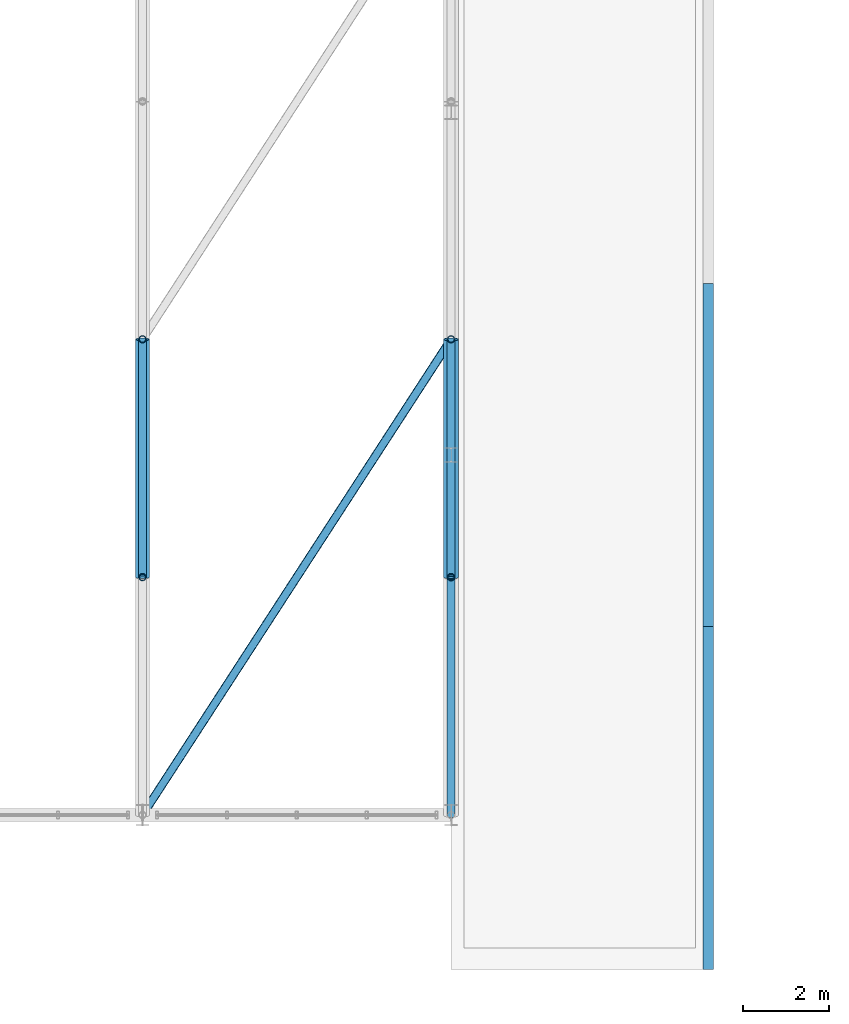
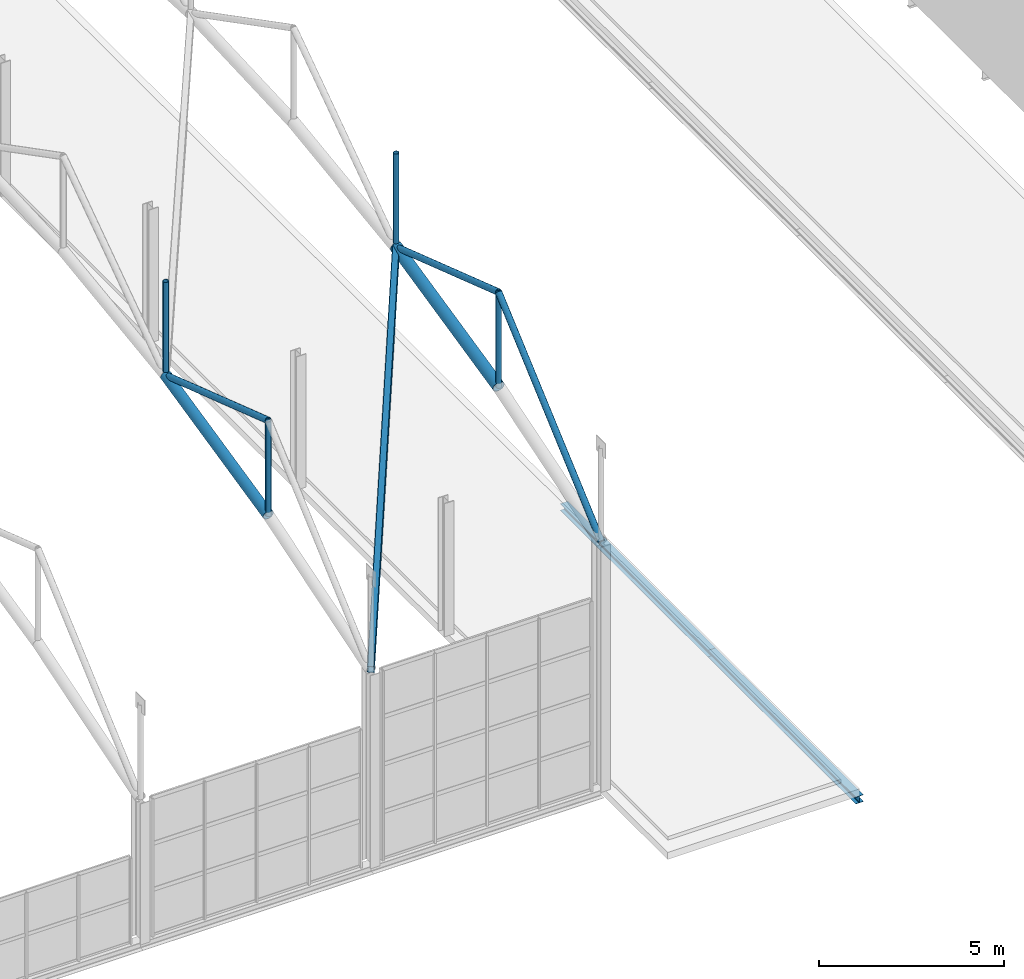
# One storey, part 61 of 153: 10 members, 2 beams.
"""IFC4 building model written with IfcOpenShell, lengths in metres."""

from ifc_helpers import new_model, si_unit, derived_unit, direction, frame, origin, origin_2d, place, context, subcontext, project, spatial, hollow_rectangle, hollow_circle, i_section, extrude, material, material_profile, profile_set, type_object, element, save


model = new_model("IFC4")

# Units and contexts
model_context = context("Model", 3, precision=1e-05, world=origin(), true_north=direction((0.0, 1.0)))
body_context = subcontext(model_context, "Body", "Model", "MODEL_VIEW")
ifc_project = project(units=[si_unit("LENGTHUNIT", "METRE"), si_unit("AREAUNIT", "SQUARE_METRE"), si_unit("VOLUMEUNIT", "CUBIC_METRE"), si_unit("PLANEANGLEUNIT", "RADIAN"), si_unit("MASSUNIT", "GRAM", prefix="KILO"), derived_unit("THERMALTRANSMITTANCEUNIT", [(si_unit("POWERUNIT", "WATT"), 1), (si_unit("LENGTHUNIT", "METRE"), -2), (si_unit("THERMODYNAMICTEMPERATUREUNIT", "KELVIN"), -1)])], contexts=[model_context])

# Site, building, storey
site_placement = place(None, origin())
site = spatial("IfcSite", under=ifc_project, at=site_placement, CompositionType="ELEMENT")
building_placement = place(site_placement, origin())
building = spatial("IfcBuilding", under=site, at=building_placement, Name="Keldorne Ridge Multi-Sports Centre", CompositionType="ELEMENT")
storey_placement = place(building_placement, frame((0.0, 0.0, 9.60009765625)))
storey = spatial("IfcBuildingStorey", under=building, at=storey_placement, Name="L02", CompositionType="ELEMENT", Elevation=9.60009765625)

# Beams
ifc_material = material(Name="Steel S355", Category="steel")
ifc_material_profile_1 = material_profile(ifc_material, i_section(OverallWidth=0.239990234375, OverallDepth=0.22998046875, WebThickness=0.007568359375, FlangeThickness=0.011962890625, FilletRadius=0.02099609375, at=origin_2d()), Name="HEA 240")
ifc_profile_set_1 = profile_set([ifc_material_profile_1], Name="Steel S355")
beam_type = type_object("IfcBeamType", Name="BM-SP-05", PredefinedType="SPANDREL", material=ifc_profile_set_1)
for number, where, z_axis, x_axis, name in (
    (1, (84.0, 6.0, -0.34521484375), (0.0, 1.0, 0.0), (-1.0, 0.0, 0.0), "L02 passage roof beam G12.1"),
    (2, (84.0, 14.0, -0.34521484375), (0.0, 1.0, 0.0), (-1.0, 0.0, 0.0), "L02 passage roof beam G12.2"),
):
    element("IfcBeam", number, at=place(storey_placement, frame(where, z_axis=z_axis, x_axis=x_axis)), inside=storey, type_object=beam_type, Name=name, PredefinedType="SPANDREL", context=body_context, shape_type="SweptSolid", body=[
        extrude(i_section(OverallWidth=0.239990234375, OverallDepth=0.22998046875, WebThickness=0.007568359375, FlangeThickness=0.011962890625, FilletRadius=0.02099609375, at=origin_2d()), origin(), (0.0, 0.0, 1.0), 8.0),
    ])

# Members
ifc_material_profile_2 = material_profile(ifc_material, hollow_circle(Radius=0.177734375, WallThickness=0.01611328125, at=origin_2d()), Name="CHS 355.6x16")
ifc_profile_set_2 = profile_set([ifc_material_profile_2], Name="Steel S355")
member_type_1 = type_object("IfcMemberType", Name="MEM-TC-01", PredefinedType="CHORD", material=ifc_profile_set_2)
member_1_placement = place(storey_placement, frame((78.0, 15.14990234375, 9.849853515625), z_axis=(0.0, 0.975563092904, 0.219719484259), x_axis=(-1.0, 0.0, 0.0)))
element("IfcMember", 3, at=member_1_placement, inside=storey, type_object=member_type_1, Name="Main Hall ROOF TRUSS AT-11 bottom chord 2", PredefinedType="CHORD", context=body_context, shape_type="SweptSolid", body=[
    extrude(hollow_circle(Radius=0.177734375, WallThickness=0.01611328125, at=origin_2d()), origin(), (0.0, 0.0, 1.0), 5.68896484375),
])
ifc_material_profile_3 = material_profile(ifc_material, hollow_circle(Radius=0.161865234375, WallThickness=0.01611328125, at=origin_2d()), Name="CHS 323.9x16")
ifc_profile_set_3 = profile_set([ifc_material_profile_3], Name="Steel S355")
member_type_2 = type_object("IfcMemberType", Name="MEM-TC-02", PredefinedType="CHORD", material=ifc_profile_set_3)
member_2_placement = place(storey_placement, frame((70.800048828125, 15.14990234375, 8.1298828125), z_axis=(0.0, 0.975563092904, 0.219719484259), x_axis=(-1.0, 0.0, 0.0)))
element("IfcMember", 4, at=member_2_placement, inside=storey, type_object=member_type_2, Name="Main Hall ROOF TRUSS AT-10 bottom chord 2", PredefinedType="CHORD", context=body_context, shape_type="SweptSolid", body=[
    extrude(hollow_circle(Radius=0.161865234375, WallThickness=0.01611328125, at=origin_2d()), origin(), (0.0, 0.0, 1.0), 5.68896484375),
])
ifc_material_profile_4 = material_profile(ifc_material, hollow_circle(Radius=0.096923828125, WallThickness=0.010009765625, at=origin_2d()), Name="CHS 193.7x10")
ifc_profile_set_4 = profile_set([ifc_material_profile_4], Name="Steel S355")
member_type_3 = type_object("IfcMemberType", Name="MEM-TD-01", PredefinedType="BRACE", material=ifc_profile_set_4)
member_3_placement = place(storey_placement, frame((70.800048828125, 15.14990234375, 11.25), z_axis=(0.0, 0.94764862416, -0.319315024901), x_axis=(-1.0, 0.0, 0.0)))
element("IfcMember", 5, at=member_3_placement, inside=storey, type_object=member_type_3, Name="Main Hall ROOF TRUSS AT-10 diagonal 2", PredefinedType="BRACE", context=body_context, shape_type="SweptSolid", body=[
    extrude(hollow_circle(Radius=0.096923828125, WallThickness=0.010009765625, at=origin_2d()), origin(), (0.0, 0.0, 1.0), 5.856689453125),
])
member_4_placement = place(storey_placement, frame((78.0, 9.60009765625, 8.099853515625), z_axis=(0.0, 0.751633717976, 0.659580741078), x_axis=(-1.0, 0.0, 0.0)))
element("IfcMember", 6, at=member_4_placement, inside=storey, type_object=member_type_3, Name="Main Hall ROOF TRUSS AT-11 diagonal 1", PredefinedType="BRACE", context=body_context, shape_type="SweptSolid", body=[
    extrude(hollow_circle(Radius=0.096923828125, WallThickness=0.010009765625, at=origin_2d()), origin(), (0.0, 0.0, 1.0), 7.383544921875),
])
member_5_placement = place(storey_placement, frame((78.0, 15.14990234375, 12.969970703125), z_axis=(0.0, 0.94764862416, -0.319315024901), x_axis=(-1.0, 0.0, 0.0)))
element("IfcMember", 7, at=member_5_placement, inside=storey, type_object=member_type_3, Name="Main Hall ROOF TRUSS AT-11 diagonal 2", PredefinedType="BRACE", context=body_context, shape_type="SweptSolid", body=[
    extrude(hollow_circle(Radius=0.096923828125, WallThickness=0.010009765625, at=origin_2d()), origin(), (0.0, 0.0, 1.0), 5.856689453125),
])
ifc_material_profile_5 = material_profile(ifc_material, hollow_circle(Radius=0.084228515625, WallThickness=0.010009765625, at=origin_2d()), Name="CHS 168.3x10")
ifc_profile_set_5 = profile_set([ifc_material_profile_5], Name="Steel S355")
member_type_4 = type_object("IfcMemberType", Name="MEM-TV-01", PredefinedType="STRUT", material=ifc_profile_set_5)
for number, where, z_axis, x_axis, name in (
    (8, (70.800048828125, 15.14990234375, 8.1298828125), (0.0, 0.0, 1.0), (1.0, 0.0, 0.0), "Main Hall ROOF TRUSS AT-10 vertical 2"),
    (9, (70.800048828125, 20.699951171875, 9.3798828125), (0.0, 0.0, 1.0), (1.0, 0.0, 0.0), "Main Hall ROOF TRUSS AT-10 vertical 3"),
    (10, (78.0, 15.14990234375, 9.849853515625), (0.0, 0.0, 1.0), (1.0, 0.0, 0.0), "Main Hall ROOF TRUSS AT-11 vertical 2"),
    (11, (78.0, 20.699951171875, 11.099853515625), (0.0, 0.0, 1.0), (1.0, 0.0, 0.0), "Main Hall ROOF TRUSS AT-11 vertical 3"),
):
    element("IfcMember", number, at=place(storey_placement, frame(where, z_axis=z_axis, x_axis=x_axis)), inside=storey, type_object=member_type_4, Name=name, PredefinedType="STRUT", context=body_context, shape_type="SweptSolid", body=[
        extrude(hollow_circle(Radius=0.084228515625, WallThickness=0.010009765625, at=origin_2d()), origin(), (0.0, 0.0, 1.0), 3.1201171875),
    ])
ifc_material_profile_6 = material_profile(ifc_material, hollow_rectangle(XDim=0.199951171875, YDim=0.300048828125, WallThickness=0.012451171875, InnerFilletRadius=0.012451171875, OuterFilletRadius=0.02490234375, at=origin_2d()), Name="RHS 300x200x12.5")
ifc_profile_set_6 = profile_set([ifc_material_profile_6], Name="Steel S355")
member_type_5 = type_object("IfcMemberType", Name="MEM-WB-01", PredefinedType="BRACE", material=ifc_profile_set_6)
member_6_placement = place(storey_placement, frame((70.800048828125, 9.60009765625, 6.3798828125), z_axis=(0.512553744447, 0.790181953521, 0.336007647804), x_axis=(-0.838959693152, 0.544193562317, 0.0)))
element("IfcMember", 12, at=member_6_placement, inside=storey, type_object=member_type_5, Name="Main Hall wind girder brace 10.1", PredefinedType="BRACE", context=body_context, shape_type="SweptSolid", body=[
    extrude(hollow_rectangle(XDim=0.199951171875, YDim=0.300048828125, WallThickness=0.012451171875, InnerFilletRadius=0.012451171875, OuterFilletRadius=0.02490234375, at=origin_2d()), origin(), (0.0, 0.0, 1.0), 14.047119140625),
])

save(model, "model.ifc")
